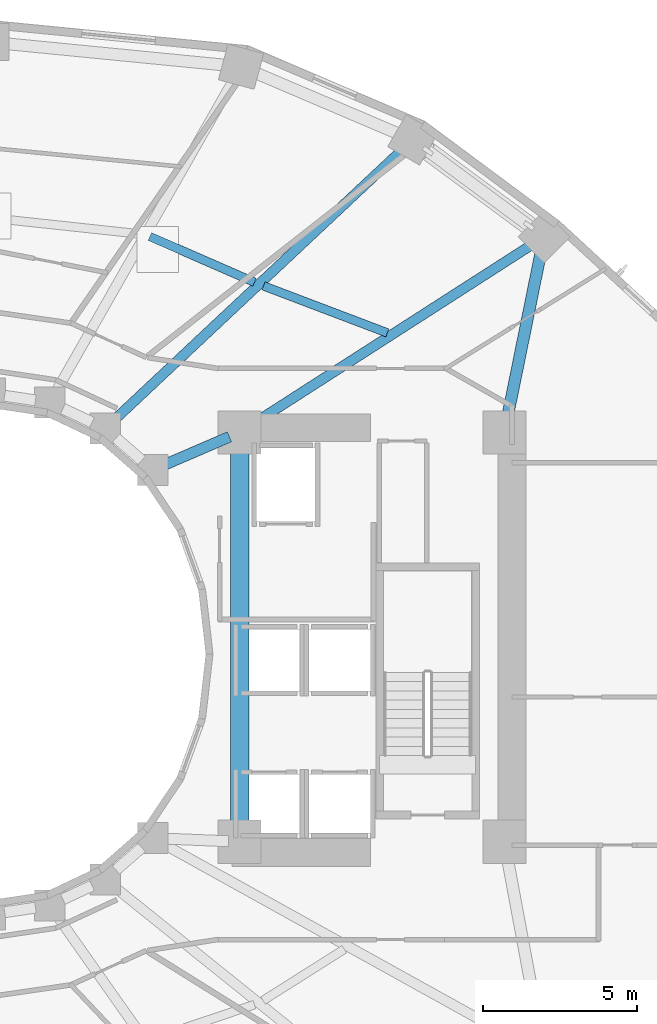
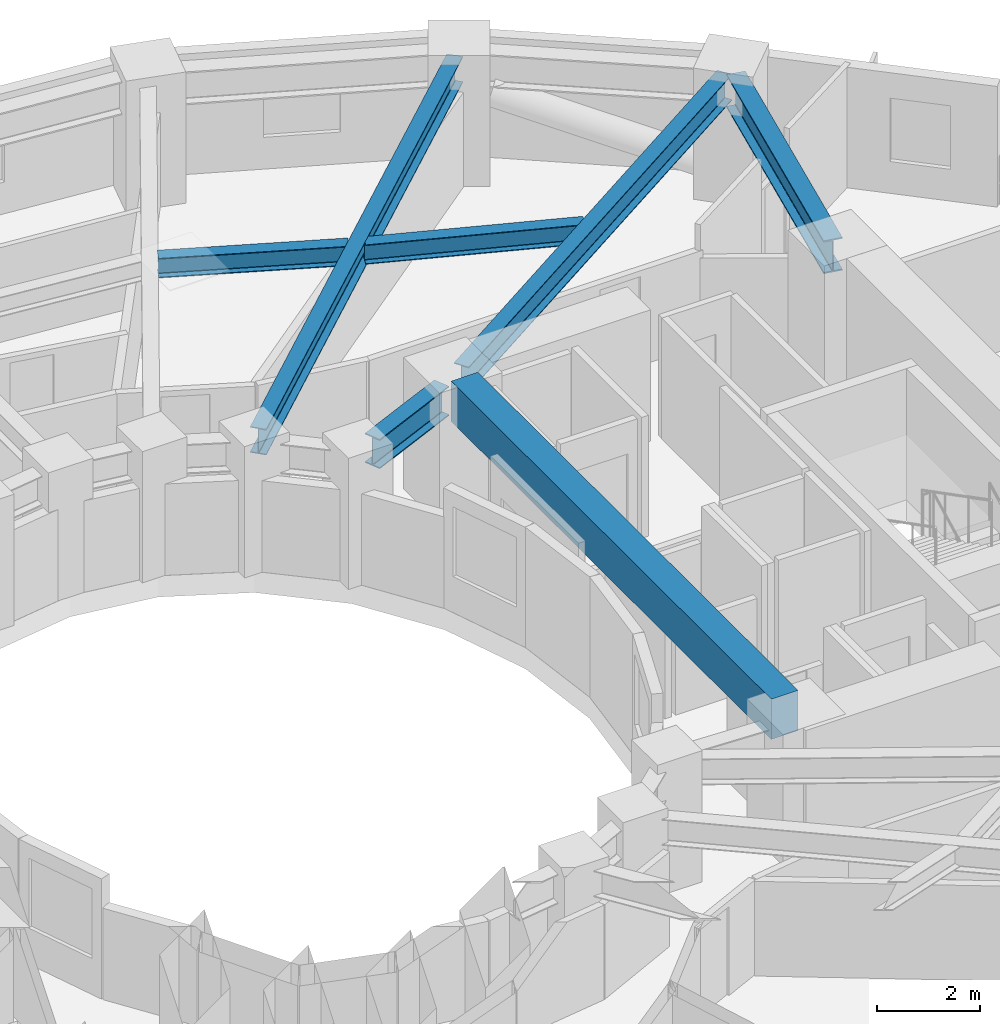
# One storey, part 4 of 14: 7 beams.
"""IFC4 building model written with IfcOpenShell, lengths in metres."""

from ifc_helpers import new_model, si_unit, direction, frame, origin, origin_2d, place, context, subcontext, project, spatial, rectangle, i_section, extrude, material, material_profile, profile_set, type_object, element, save


model = new_model("IFC4")

# Units and contexts
model_context = context("Model", 3, precision=1e-05, world=origin(), true_north=direction((0.0, 1.0)))
body_context = subcontext(model_context, "Body", "Model", "MODEL_VIEW")
ifc_project = project(units=[si_unit("LENGTHUNIT", "METRE"), si_unit("AREAUNIT", "SQUARE_METRE"), si_unit("VOLUMEUNIT", "CUBIC_METRE"), si_unit("PLANEANGLEUNIT", "RADIAN"), si_unit("MASSUNIT", "GRAM", prefix="KILO")], contexts=[model_context])

# Site, building, storey
site_placement = place(None, origin())
site = spatial("IfcSite", under=ifc_project, at=site_placement, CompositionType="ELEMENT")
building_placement = place(site_placement, origin())
building = spatial("IfcBuilding", under=site, at=building_placement, Name="Solvane Sanctuary Tower", CompositionType="ELEMENT")
storey_placement = place(building_placement, frame((0.0, 0.0, 36.89990234375)))
storey = spatial("IfcBuildingStorey", under=building, at=storey_placement, Name="L10", CompositionType="ELEMENT", Elevation=36.89990234375)

# Beams
ifc_material_1 = material(Name="Concrete C70/85", Category="concrete")
ifc_material_profile_1 = material_profile(ifc_material_1, rectangle(XDim=0.60009765625, YDim=0.949951171875, at=origin_2d()), Name="RC600X950")
ifc_profile_set_1 = profile_set([ifc_material_profile_1], Name="Concrete C70/85")
beam_type_1 = type_object("IfcBeamType", Name="Beam B-COUPLE RC600X950", PredefinedType="LINTEL", material=ifc_profile_set_1)
beam_1_placement = place(storey_placement, frame((40.10009765625, 17.35009765625, 2.625), z_axis=(0.0, 1.0, 0.0), x_axis=(-1.0, 0.0, 0.0)))
element("IfcBeam", 1, at=beam_1_placement, inside=storey, type_object=beam_type_1, Name="L10 East Core Coupling Lintel", PredefinedType="LINTEL", context=body_context, shape_type="SweptSolid", body=[
    extrude(rectangle(XDim=0.60009765625, YDim=0.949951171875, at=origin_2d()), origin(), (0.0, 0.0, 1.0), 12.39990234375),
])
ifc_material_2 = material(Name="Steel ASTM A992 Grade 50", Category="steel")
ifc_material_profile_2 = material_profile(ifc_material_2, i_section(OverallWidth=0.323974609375, OverallDepth=0.611083984375, WebThickness=0.0126953125, FlangeThickness=0.01904296875, FilletRadius=0.01611328125, at=origin_2d()), Name="W24X104")
ifc_profile_set_2 = profile_set([ifc_material_profile_2], Name="Steel ASTM A992 Grade 50")
beam_type_2 = type_object("IfcBeamType", Name="Beam B-RAD-Z1 W24X104", PredefinedType="BEAM", material=ifc_profile_set_2)
beam_2_placement = place(storey_placement, frame((40.40283203125, 30.39453125, 2.572509765625), z_axis=(0.841383207998, 0.540438985733, 0.0), x_axis=(-0.540438985733, 0.841383207998, 0.0)))
element("IfcBeam", 2, at=beam_2_placement, inside=storey, type_object=beam_type_2, Name="L10 Radial Composite Floor Beam 01", PredefinedType="BEAM", context=body_context, shape_type="SweptSolid", body=[
    extrude(i_section(OverallWidth=0.323974609375, OverallDepth=0.611083984375, WebThickness=0.0126953125, FlangeThickness=0.01904296875, FilletRadius=0.01611328125, at=origin_2d()), origin(), (0.0, 0.0, 1.0), 11.116455078125),
])
beam_3_placement = place(storey_placement, frame((35.93408203125, 30.518310546875, 2.572509765625), z_axis=(0.729363446859, 0.68412642281, 0.0), x_axis=(-0.68412642281, 0.729363446859, 0.0)))
element("IfcBeam", 3, at=beam_3_placement, inside=storey, type_object=beam_type_2, Name="L10 Radial Composite Floor Beam 02", PredefinedType="BEAM", context=body_context, shape_type="SweptSolid", body=[
    extrude(i_section(OverallWidth=0.323974609375, OverallDepth=0.611083984375, WebThickness=0.0126953125, FlangeThickness=0.01904296875, FilletRadius=0.01611328125, at=origin_2d()), origin(), (0.0, 0.0, 1.0), 13.14697265625),
])
ifc_material_profile_3 = material_profile(ifc_material_2, i_section(OverallWidth=0.35498046875, OverallDepth=0.695068359375, WebThickness=0.015380859375, FlangeThickness=0.02490234375, FilletRadius=0.01806640625, at=origin_2d()), Name="W27X146")
ifc_profile_set_3 = profile_set([ifc_material_profile_3], Name="Steel ASTM A992 Grade 50")
beam_type_3 = type_object("IfcBeamType", Name="Beam B-RING-IN1 W27X146", PredefinedType="BEAM", material=ifc_profile_set_3)
beam_4_placement = place(storey_placement, frame((37.70654296875, 29.168212890625, 2.530517578125), z_axis=(0.918277080365, 0.395938383687, 0.0), x_axis=(-0.395938383687, 0.918277080365, 0.0)))
element("IfcBeam", 4, at=beam_4_placement, inside=storey, type_object=beam_type_3, Name="L10 Inner Light-Well Ring Beam IC01-CE4", PredefinedType="BEAM", context=body_context, shape_type="SweptSolid", body=[
    extrude(i_section(OverallWidth=0.35498046875, OverallDepth=0.695068359375, WebThickness=0.015380859375, FlangeThickness=0.02490234375, FilletRadius=0.01806640625, at=origin_2d()), origin(), (0.0, 0.0, 1.0), 2.246337890625),
])
ifc_material_profile_4 = material_profile(ifc_material_2, i_section(OverallWidth=0.280029296875, OverallDepth=0.462890625, WebThickness=0.0107421875, FlangeThickness=0.017333984375, FilletRadius=0.013916015625, at=origin_2d()), Name="W18X76")
ifc_profile_set_4 = profile_set([ifc_material_profile_4], Name="Steel ASTM A992 Grade 50")
beam_type_4 = type_object("IfcBeamType", Name="Beam B-SEC-JOIST W18X76", PredefinedType="JOIST", material=ifc_profile_set_4)
beam_5_placement = place(storey_placement, frame((37.181640625, 36.564697265625, 2.646484375), z_axis=(0.916382007922, -0.400304903238, 0.0), x_axis=(0.400304903238, 0.916382007922, 0.0)))
element("IfcBeam", 5, at=beam_5_placement, inside=storey, type_object=beam_type_4, Name="L10 Secondary Circumferential Joist 03-02", PredefinedType="JOIST", context=body_context, shape_type="SweptSolid", body=[
    extrude(i_section(OverallWidth=0.280029296875, OverallDepth=0.462890625, WebThickness=0.0107421875, FlangeThickness=0.017333984375, FilletRadius=0.013916015625, at=origin_2d()), origin(), (0.0, 0.0, 1.0), 3.713623046875),
])
beam_6_placement = place(storey_placement, frame((40.87548828125, 34.959716796875, 2.646484375), z_axis=(0.934930049376, -0.354832076867, 0.0), x_axis=(0.354832076867, 0.934930049376, 0.0)))
element("IfcBeam", 6, at=beam_6_placement, inside=storey, type_object=beam_type_4, Name="L10 Secondary Circumferential Joist 02-01", PredefinedType="JOIST", context=body_context, shape_type="SweptSolid", body=[
    extrude(i_section(OverallWidth=0.280029296875, OverallDepth=0.462890625, WebThickness=0.0107421875, FlangeThickness=0.017333984375, FilletRadius=0.013916015625, at=origin_2d()), origin(), (0.0, 0.0, 1.0), 4.3037109375),
])
ifc_material_profile_5 = material_profile(ifc_material_2, i_section(OverallWidth=0.382080078125, OverallDepth=0.779052734375, WebThickness=0.01806640625, FlangeThickness=0.030029296875, FilletRadius=0.02001953125, at=origin_2d()), Name="W30X191")
ifc_profile_set_5 = profile_set([ifc_material_profile_5], Name="Steel ASTM A992 Grade 50")
beam_type_5 = type_object("IfcBeamType", Name="Beam B-SPAND-Z1 W30X191", PredefinedType="SPANDREL", material=ifc_profile_set_5)
beam_7_placement = place(storey_placement, frame((49.935791015625, 36.279296875, 2.488525390625), z_axis=(-0.199190417877, -0.979960804025, 0.0), x_axis=(0.979960804025, -0.199190417877, 0.0)))
element("IfcBeam", 7, at=beam_7_placement, inside=storey, type_object=beam_type_5, Name="L10 Perimeter Spandrel Beam TC01-CE3", PredefinedType="SPANDREL", context=body_context, shape_type="SweptSolid", body=[
    extrude(i_section(OverallWidth=0.382080078125, OverallDepth=0.779052734375, WebThickness=0.01806640625, FlangeThickness=0.030029296875, FilletRadius=0.02001953125, at=origin_2d()), origin(), (0.0, 0.0, 1.0), 5.923583984375),
])

save(model, "model.ifc")
